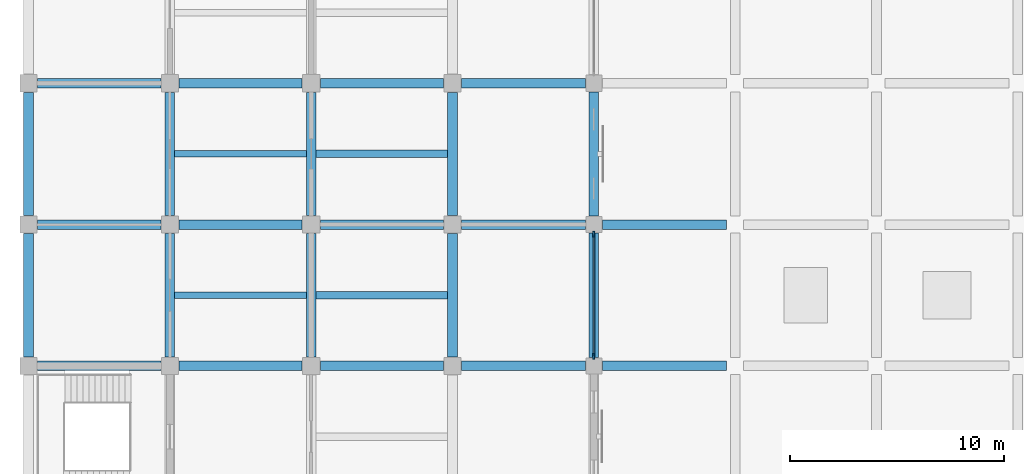
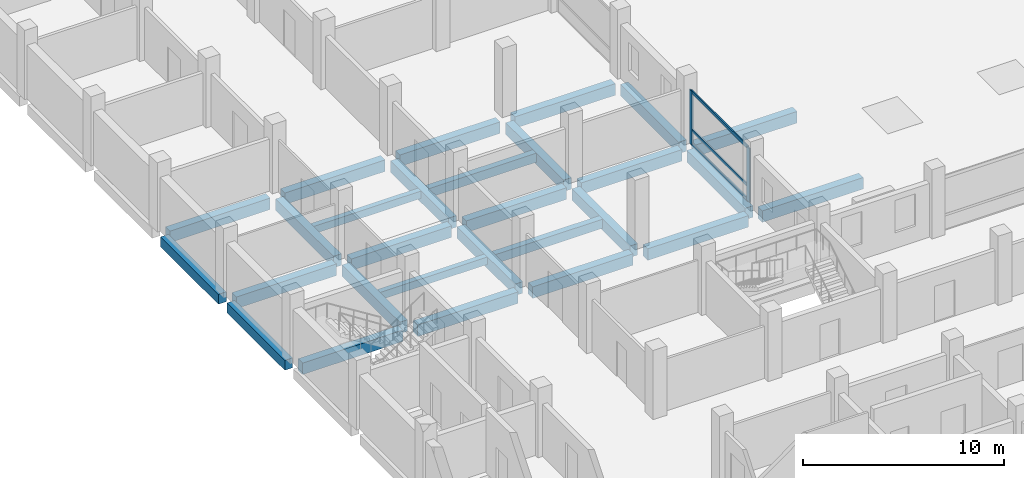
# One storey, part 5 of 23: 28 beams, 5 members, 1 element without a shape of its own.
"""IFC4 building model written with IfcOpenShell, lengths in metres."""

from ifc_helpers import new_model, si_unit, direction, frame, origin, origin_2d, place, context, subcontext, project, spatial, rectangle, extrude, material, material_profile, profile_set, type_object, element, aggregate, save


model = new_model("IFC4")

# Units and contexts
model_context = context("Model", 3, precision=1e-05, world=origin(), true_north=direction((0.0, 1.0)))
body_context = subcontext(model_context, "Body", "Model", "MODEL_VIEW")
ifc_project = project(units=[si_unit("LENGTHUNIT", "METRE"), si_unit("AREAUNIT", "SQUARE_METRE"), si_unit("VOLUMEUNIT", "CUBIC_METRE"), si_unit("PLANEANGLEUNIT", "RADIAN"), si_unit("MASSUNIT", "GRAM", prefix="KILO")], contexts=[model_context])

# Site, building, storey
site_placement = place(None, origin())
site = spatial("IfcSite", under=ifc_project, at=site_placement, CompositionType="ELEMENT")
building_placement = place(site_placement, origin())
building = spatial("IfcBuilding", under=site, at=building_placement, Name="Rusizi Kubbe Research Institute", CompositionType="ELEMENT")
storey_placement = place(building_placement, frame((0.0, 0.0, 18.60009765625)))
storey = spatial("IfcBuildingStorey", under=building, at=storey_placement, Name="L04", CompositionType="ELEMENT", Elevation=18.60009765625)

# Beams
ifc_material_1 = material(Name="Concrete C40/50", Category="concrete")
ifc_material_profile_1 = material_profile(ifc_material_1, rectangle(XDim=0.300048828125, YDim=0.449951171875, at=origin_2d()), Name="RC300x450")
ifc_profile_set_1 = profile_set([ifc_material_profile_1], Name="Concrete C40/50")
beam_type_1 = type_object("IfcBeamType", Name="BM-RC300x450", PredefinedType="LINTEL", material=ifc_profile_set_1)
for number, where, z_axis, x_axis, name in (
    (1, (6.824951171875, 36.300048828125, -0.565185546875), (1.0, 0.0, 0.0), (0.0, 1.0, 0.0), "Corridor Portal Lintel Beam L04-05"),
    (2, (6.824951171875, 42.89990234375, -0.565185546875), (1.0, 0.0, 0.0), (0.0, 1.0, 0.0), "Corridor Portal Lintel Beam L04-06"),
):
    element("IfcBeam", number, at=place(storey_placement, frame(where, z_axis=z_axis, x_axis=x_axis)), inside=storey, type_object=beam_type_1, Name=name, PredefinedType="LINTEL", context=body_context, shape_type="SweptSolid", body=[
        extrude(rectangle(XDim=0.300048828125, YDim=0.449951171875, at=origin_2d()), origin(), (0.0, 0.0, 1.0), 6.150146484375),
    ])
ifc_material_2 = material(Name="Concrete C40/50", Category="concrete")
ifc_material_profile_2 = material_profile(ifc_material_2, rectangle(XDim=0.35009765625, YDim=0.550048828125, at=origin_2d()), Name="RC350x550")
ifc_profile_set_2 = profile_set([ifc_material_profile_2], Name="Concrete C40/50")
beam_type_2 = type_object("IfcBeamType", Name="BM-RC350x550", PredefinedType="JOIST", material=ifc_profile_set_2)
for number, where, z_axis, x_axis, name in (
    (3, (13.425048828125, 36.300048828125, -0.614990234375), (1.0, 0.0, 0.0), (0.0, 1.0, 0.0), "Lab Stiffener Joist L04 (2,5)"),
    (4, (13.425048828125, 42.89990234375, -0.614990234375), (1.0, 0.0, 0.0), (0.0, 1.0, 0.0), "Lab Stiffener Joist L04 (2,6)"),
):
    element("IfcBeam", number, at=place(storey_placement, frame(where, z_axis=z_axis, x_axis=x_axis)), inside=storey, type_object=beam_type_2, Name=name, PredefinedType="JOIST", context=body_context, shape_type="SweptSolid", body=[
        extrude(rectangle(XDim=0.35009765625, YDim=0.550048828125, at=origin_2d()), origin(), (0.0, 0.0, 1.0), 6.14990234375),
    ])
ifc_material_3 = material(Name="Concrete C40/50", Category="concrete")
ifc_material_profile_3 = material_profile(ifc_material_3, rectangle(XDim=0.449951171875, YDim=0.60009765625, at=origin_2d()), Name="RC450x600")
ifc_profile_set_3 = profile_set([ifc_material_profile_3], Name="Concrete C40/50")
beam_type_3 = type_object("IfcBeamType", Name="BM-RC450x600", PredefinedType="SPANDREL", material=ifc_profile_set_3)
for number, where, z_axis, x_axis, name in (
    (5, (0.0, 33.425048828125, -0.64013671875), (0.0, 1.0, 0.0), (-1.0, 0.0, 0.0), "Grid Beam V L04 (0,5)"),
    (6, (0.0, 40.02490234375, -0.64013671875), (0.0, 1.0, 0.0), (-1.0, 0.0, 0.0), "Grid Beam V L04 (0,6)"),
):
    element("IfcBeam", number, at=place(storey_placement, frame(where, z_axis=z_axis, x_axis=x_axis)), inside=storey, type_object=beam_type_3, Name=name, PredefinedType="SPANDREL", context=body_context, shape_type="SweptSolid", body=[
        extrude(rectangle(XDim=0.449951171875, YDim=0.60009765625, at=origin_2d()), origin(), (0.0, 0.0, 1.0), 5.75),
    ])
ifc_material_4 = material(Name="Concrete C40/50", Category="concrete")
ifc_material_profile_4 = material_profile(ifc_material_4, rectangle(XDim=0.449951171875, YDim=0.699951171875, at=origin_2d()), Name="RC450x700B")
ifc_profile_set_4 = profile_set([ifc_material_profile_4], Name="Concrete C40/50")
beam_type_4 = type_object("IfcBeamType", Name="BM-RC450x700", PredefinedType="BEAM", material=ifc_profile_set_4)
for number, where, z_axis, x_axis, name in (
    (7, (0.425048828125, 33.0, -0.690185546875), (1.0, 0.0, 0.0), (0.0, 1.0, 0.0), "Grid Beam H L04 (0,5)"),
    (8, (0.425048828125, 39.60009765625, -0.690185546875), (1.0, 0.0, 0.0), (0.0, 1.0, 0.0), "Grid Beam H L04 (0,6)"),
    (9, (0.425048828125, 46.199951171875, -0.690185546875), (1.0, 0.0, 0.0), (0.0, 1.0, 0.0), "Grid Beam H L04 (0,7)"),
    (10, (7.02490234375, 33.0, -0.690185546875), (1.0, 0.0, 0.0), (0.0, 1.0, 0.0), "Grid Beam H L04 (1,5)"),
    (11, (7.02490234375, 39.60009765625, -0.690185546875), (1.0, 0.0, 0.0), (0.0, 1.0, 0.0), "Grid Beam H L04 (1,6)"),
    (12, (7.02490234375, 46.199951171875, -0.690185546875), (1.0, 0.0, 0.0), (0.0, 1.0, 0.0), "Grid Beam H L04 (1,7)"),
    (13, (13.625, 33.0, -0.690185546875), (1.0, 0.0, 0.0), (0.0, 1.0, 0.0), "Grid Beam H L04 (2,5)"),
    (14, (13.625, 39.60009765625, -0.690185546875), (1.0, 0.0, 0.0), (0.0, 1.0, 0.0), "Grid Beam H L04 (2,6)"),
    (15, (13.625, 46.199951171875, -0.690185546875), (1.0, 0.0, 0.0), (0.0, 1.0, 0.0), "Grid Beam H L04 (2,7)"),
):
    element("IfcBeam", number, at=place(storey_placement, frame(where, z_axis=z_axis, x_axis=x_axis)), inside=storey, type_object=beam_type_4, Name=name, PredefinedType="BEAM", context=body_context, shape_type="SweptSolid", body=[
        extrude(rectangle(XDim=0.449951171875, YDim=0.699951171875, at=origin_2d()), origin(), (0.0, 0.0, 1.0), 5.75),
    ])
for number, where, z_axis, x_axis, name in (
    (16, (20.22509765625, 33.0, -0.690185546875), (1.0, 0.0, 0.0), (0.0, 1.0, 0.0), "Grid Beam H L04 (3,5)"),
    (17, (20.22509765625, 39.60009765625, -0.690185546875), (1.0, 0.0, 0.0), (0.0, 1.0, 0.0), "Grid Beam H L04 (3,6)"),
    (18, (20.22509765625, 46.199951171875, -0.690185546875), (1.0, 0.0, 0.0), (0.0, 1.0, 0.0), "Grid Beam H L04 (3,7)"),
):
    element("IfcBeam", number, at=place(storey_placement, frame(where, z_axis=z_axis, x_axis=x_axis)), inside=storey, type_object=beam_type_4, Name=name, PredefinedType="BEAM", context=body_context, shape_type="SweptSolid", body=[
        extrude(rectangle(XDim=0.449951171875, YDim=0.699951171875, at=origin_2d()), origin(), (0.0, 0.0, 1.0), 5.77490234375),
    ])
for number, where, z_axis, x_axis, name in (
    (19, (26.800048828125, 33.0, -0.690185546875), (1.0, 0.0, 0.0), (0.0, 1.0, 0.0), "Grid Beam H L04 (4,5)"),
    (20, (26.800048828125, 39.60009765625, -0.690185546875), (1.0, 0.0, 0.0), (0.0, 1.0, 0.0), "Grid Beam H L04 (4,6)"),
):
    element("IfcBeam", number, at=place(storey_placement, frame(where, z_axis=z_axis, x_axis=x_axis)), inside=storey, type_object=beam_type_4, Name=name, PredefinedType="BEAM", context=body_context, shape_type="SweptSolid", body=[
        extrude(rectangle(XDim=0.449951171875, YDim=0.699951171875, at=origin_2d()), origin(), (0.0, 0.0, 1.0), 5.800048828125),
    ])
for number, where, z_axis, x_axis, name in (
    (21, (6.60009765625, 33.425048828125, -0.690185546875), (0.0, 1.0, 0.0), (-1.0, 0.0, 0.0), "Grid Beam V L04 (1,5)"),
    (22, (6.60009765625, 40.02490234375, -0.690185546875), (0.0, 1.0, 0.0), (-1.0, 0.0, 0.0), "Grid Beam V L04 (1,6)"),
    (23, (13.199951171875, 33.425048828125, -0.690185546875), (0.0, 1.0, 0.0), (-1.0, 0.0, 0.0), "Grid Beam V L04 (2,5)"),
    (24, (13.199951171875, 40.02490234375, -0.690185546875), (0.0, 1.0, 0.0), (-1.0, 0.0, 0.0), "Grid Beam V L04 (2,6)"),
    (25, (19.800048828125, 33.425048828125, -0.690185546875), (0.0, 1.0, 0.0), (-1.0, 0.0, 0.0), "Grid Beam V L04 (3,5)"),
    (26, (19.800048828125, 40.02490234375, -0.690185546875), (0.0, 1.0, 0.0), (-1.0, 0.0, 0.0), "Grid Beam V L04 (3,6)"),
):
    element("IfcBeam", number, at=place(storey_placement, frame(where, z_axis=z_axis, x_axis=x_axis)), inside=storey, type_object=beam_type_4, Name=name, PredefinedType="BEAM", context=body_context, shape_type="SweptSolid", body=[
        extrude(rectangle(XDim=0.449951171875, YDim=0.699951171875, at=origin_2d()), origin(), (0.0, 0.0, 1.0), 5.75),
    ])
for number, where, z_axis, x_axis, name in (
    (27, (26.39990234375, 33.39990234375, -0.690185546875), (0.0, 1.0, 0.0), (-1.0, 0.0, 0.0), "Grid Beam V L04 (4,5)"),
    (28, (26.39990234375, 40.0, -0.690185546875), (0.0, 1.0, 0.0), (-1.0, 0.0, 0.0), "Grid Beam V L04 (4,6)"),
):
    element("IfcBeam", number, at=place(storey_placement, frame(where, z_axis=z_axis, x_axis=x_axis)), inside=storey, type_object=beam_type_4, Name=name, PredefinedType="BEAM", context=body_context, shape_type="SweptSolid", body=[
        extrude(rectangle(XDim=0.449951171875, YDim=0.699951171875, at=origin_2d()), origin(), (0.0, 0.0, 1.0), 5.800048828125),
    ])

# Curtain wall, members
ifc_material_5 = material(Name="Thermally Broken Aluminium and Low-E Glazing", Category="aluminium")
curtain_wall_type = type_object("IfcCurtainWallType", Name="CW-07", PredefinedType="NOTDEFINED", material=ifc_material_5)
curtain_wall_placement = place(storey_placement, origin())
curtain_wall = element("IfcCurtainWall", 29, at=curtain_wall_placement, inside=storey, type_object=curtain_wall_type, Name="Unitised Facade Curtain Wall CW-L04-V-04-05", PredefinedType="NOTDEFINED")
ifc_material_6 = material(Name="Aluminium Alloy 6063-T6", Category="aluminium")
ifc_material_profile_5 = material_profile(ifc_material_6, rectangle(XDim=0.080078125, YDim=0.280029296875, at=origin_2d()), Name="ALU-M 80x280")
ifc_profile_set_5 = profile_set([ifc_material_profile_5], Name="Aluminium Alloy 6063-T6")
member_type_1 = type_object("IfcMemberType", Name="ML-06", PredefinedType="MULLION", material=ifc_profile_set_5)
member_1_placement = place(storey_placement, frame((26.39990234375, 33.445068359375, 0.0), z_axis=(0.0, 0.0, 1.0), x_axis=(-1.0, 0.0, 0.0)))
member_1 = element("IfcMember", 30, at=member_1_placement, type_object=member_type_1, Name="CW-07 mullion 1", PredefinedType="MULLION", context=body_context, shape_type="SweptSolid", body=[
    extrude(rectangle(XDim=0.080078125, YDim=0.280029296875, at=origin_2d()), origin(), (0.0, 0.0, 1.0), 3.260009765625),
])
member_2_placement = place(storey_placement, frame((26.39990234375, 39.155029296875, 0.0), z_axis=(0.0, 0.0, 1.0), x_axis=(-1.0, 0.0, 0.0)))
member_2 = element("IfcMember", 31, at=member_2_placement, type_object=member_type_1, Name="CW-07 mullion 2", PredefinedType="MULLION", context=body_context, shape_type="SweptSolid", body=[
    extrude(rectangle(XDim=0.080078125, YDim=0.280029296875, at=origin_2d()), origin(), (0.0, 0.0, 1.0), 3.260009765625),
])
ifc_material_7 = material(Name="Aluminium Alloy 6063-T6", Category="aluminium")
ifc_material_profile_6 = material_profile(ifc_material_7, rectangle(XDim=0.070068359375, YDim=0.18994140625, at=origin_2d()), Name="ALU-T 70x190")
ifc_profile_set_6 = profile_set([ifc_material_profile_6], Name="Aluminium Alloy 6063-T6")
member_type_2 = type_object("IfcMemberType", Name="TR-04", PredefinedType="USERDEFINED", material=ifc_profile_set_6)
member_3_placement = place(storey_placement, frame((26.39990234375, 33.485107421875, 0.034912109375), z_axis=(0.0, 1.0, 0.0), x_axis=(-1.0, 0.0, 0.0)))
member_3 = element("IfcMember", 32, at=member_3_placement, type_object=member_type_2, Name="CW-07 transom 1.1", ObjectType="TRANSOM", PredefinedType="USERDEFINED", context=body_context, shape_type="SweptSolid", body=[
    extrude(rectangle(XDim=0.070068359375, YDim=0.18994140625, at=origin_2d()), origin(), (0.0, 0.0, 1.0), 5.6298828125),
])
member_4_placement = place(storey_placement, frame((26.39990234375, 33.485107421875, 0.89990234375), z_axis=(0.0, 1.0, 0.0), x_axis=(-1.0, 0.0, 0.0)))
member_4 = element("IfcMember", 33, at=member_4_placement, type_object=member_type_2, Name="CW-07 transom 1.2", ObjectType="TRANSOM", PredefinedType="USERDEFINED", context=body_context, shape_type="SweptSolid", body=[
    extrude(rectangle(XDim=0.070068359375, YDim=0.18994140625, at=origin_2d()), origin(), (0.0, 0.0, 1.0), 5.6298828125),
])
member_5_placement = place(storey_placement, frame((26.39990234375, 33.485107421875, 3.224853515625), z_axis=(0.0, 1.0, 0.0), x_axis=(-1.0, 0.0, 0.0)))
member_5 = element("IfcMember", 34, at=member_5_placement, type_object=member_type_2, Name="CW-07 transom 1.3", ObjectType="TRANSOM", PredefinedType="USERDEFINED", context=body_context, shape_type="SweptSolid", body=[
    extrude(rectangle(XDim=0.070068359375, YDim=0.18994140625, at=origin_2d()), origin(), (0.0, 0.0, 1.0), 5.6298828125),
])
aggregate(curtain_wall, [member_1, member_2, member_3, member_4, member_5])

save(model, "model.ifc")
